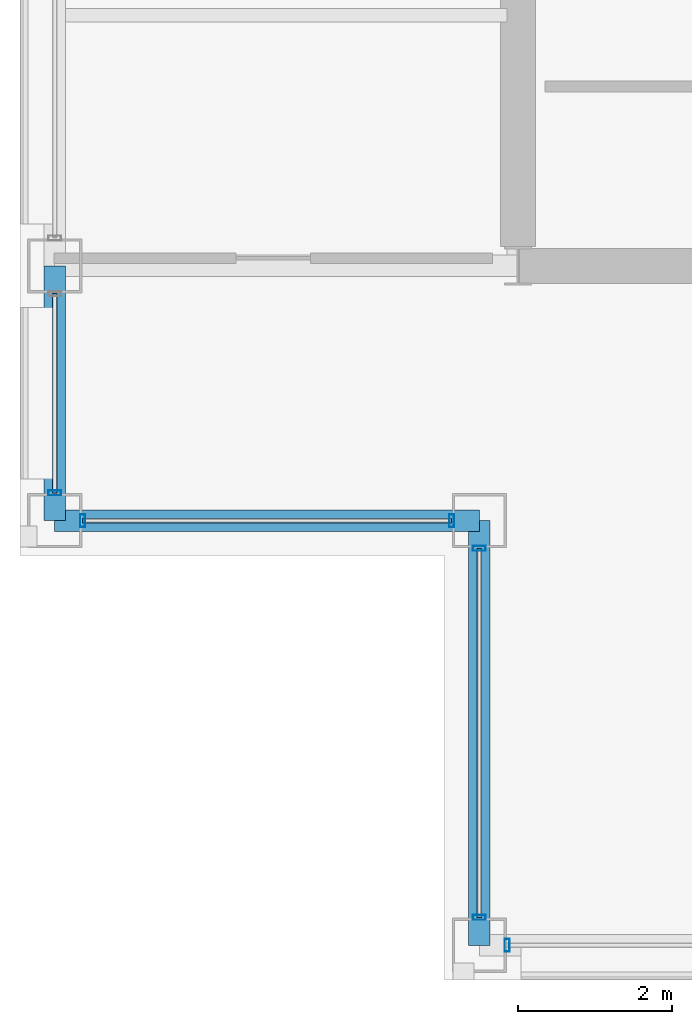
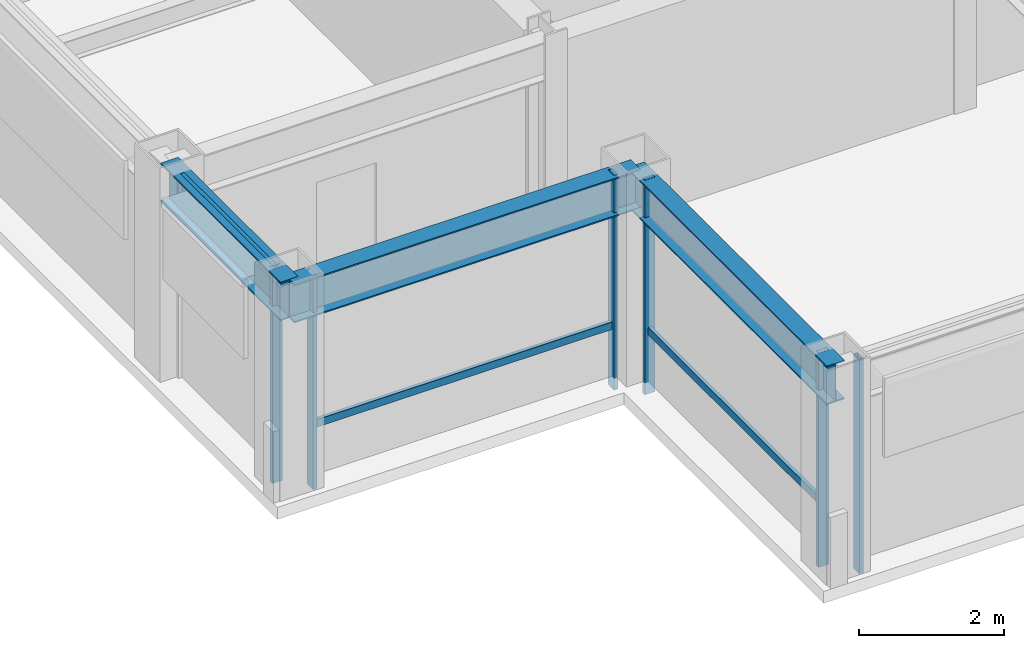
# One storey, part 2 of 28: 9 members, 3 beams, 4 elements without a shape of their own.
"""IFC4 building model written with IfcOpenShell, lengths in metres."""

from ifc_helpers import new_model, si_unit, direction, frame, origin, origin_2d, place, context, subcontext, project, spatial, hollow_rectangle, i_section, extrude, material, layer, layer_set, material_profile, profile_set, type_object, element, aggregate, save


model = new_model("IFC4")

# Units and contexts
model_context = context("Model", 3, precision=1e-05, world=origin(), true_north=direction((0.0, 1.0)))
body_context = subcontext(model_context, "Body", "Model", "MODEL_VIEW")
ifc_project = project(units=[si_unit("LENGTHUNIT", "METRE"), si_unit("AREAUNIT", "SQUARE_METRE"), si_unit("VOLUMEUNIT", "CUBIC_METRE"), si_unit("PLANEANGLEUNIT", "RADIAN"), si_unit("MASSUNIT", "GRAM", prefix="KILO")], contexts=[model_context])

# Site, building, storey
site_placement = place(None, origin())
site = spatial("IfcSite", under=ifc_project, at=site_placement, CompositionType="ELEMENT")
building_placement = place(site_placement, origin())
building = spatial("IfcBuilding", under=site, at=building_placement, Name="Brelmoor Portico Tower", CompositionType="ELEMENT")
storey_placement = place(building_placement, frame((0.0, 0.0, 191.10009765625)))
storey = spatial("IfcBuildingStorey", under=building, at=storey_placement, Name="L50", CompositionType="ELEMENT", Elevation=191.10009765625)

# Beams
ifc_material_1 = material(Name="Steel Q355B", Category="steel")
ifc_material_profile_1 = material_profile(ifc_material_1, i_section(OverallWidth=0.280029296875, OverallDepth=0.64990234375, WebThickness=0.012939453125, FlangeThickness=0.02197265625, at=origin_2d()), Name="HN 650x280x13x22")
ifc_profile_set_1 = profile_set([ifc_material_profile_1], Name="Steel Q355B")
beam_type = type_object("IfcBeamType", Name="BM-SP-650", PredefinedType="SPANDREL", material=ifc_profile_set_1)
beam_1_placement = place(storey_placement, frame((-20.550048828125, -13.050048828125, 3.074951171875), z_axis=(1.0, 0.0, 0.0), x_axis=(0.0, 1.0, 0.0)))
element("IfcBeam", 1, at=beam_1_placement, inside=storey, type_object=beam_type, Name="L50 Perimeter Spandrel Beam SP-04", PredefinedType="SPANDREL", context=body_context, shape_type="SweptSolid", body=[
    extrude(i_section(OverallWidth=0.280029296875, OverallDepth=0.64990234375, WebThickness=0.012939453125, FlangeThickness=0.02197265625, at=origin_2d()), origin(), (0.0, 0.0, 1.0), 5.5),
])
beam_2_placement = place(storey_placement, frame((-20.550048828125, -13.050048828125, 3.074951171875), z_axis=(0.0, 1.0, 0.0), x_axis=(-1.0, 0.0, 0.0)))
element("IfcBeam", 2, at=beam_2_placement, inside=storey, type_object=beam_type, Name="L50 Perimeter Spandrel Beam SP-11", PredefinedType="SPANDREL", context=body_context, shape_type="SweptSolid", body=[
    extrude(i_section(OverallWidth=0.280029296875, OverallDepth=0.64990234375, WebThickness=0.012939453125, FlangeThickness=0.02197265625, at=origin_2d()), origin(), (0.0, 0.0, 1.0), 3.300048828125),
])
beam_3_placement = place(storey_placement, frame((-15.050048828125, -18.550048828125, 3.074951171875), z_axis=(0.0, 1.0, 0.0), x_axis=(-1.0, 0.0, 0.0)))
element("IfcBeam", 3, at=beam_3_placement, inside=storey, type_object=beam_type, Name="L50 Perimeter Spandrel Beam SP-14", PredefinedType="SPANDREL", context=body_context, shape_type="SweptSolid", body=[
    extrude(i_section(OverallWidth=0.280029296875, OverallDepth=0.64990234375, WebThickness=0.012939453125, FlangeThickness=0.02197265625, at=origin_2d()), origin(), (0.0, 0.0, 1.0), 5.5),
])

# Curtain wall, member
ifc_material_2 = material(Name="Anodised Aluminium Alloy 6063-T6", Category="aluminium")
ifc_layer_1 = layer(ifc_material_2, 0.179931640625)
ifc_layer_set_1 = layer_set([ifc_layer_1], Name="Anodised Aluminium Alloy 6063-T6")
curtain_wall_type_1 = type_object("IfcCurtainWallType", Name="CW-TOWER-Z3-XB", PredefinedType="NOTDEFINED", material=ifc_layer_set_1)
curtain_wall_1_placement = place(storey_placement, origin())
curtain_wall_1 = element("IfcCurtainWall", 4, at=curtain_wall_1_placement, inside=storey, type_object=curtain_wall_type_1, Name="L50 Curtain Wall CW-L50-01-1", PredefinedType="NOTDEFINED")
ifc_material_profile_2 = material_profile(ifc_material_2, hollow_rectangle(XDim=0.06494140625, YDim=0.1650390625, WallThickness=0.00390625, at=origin_2d()), Name="ALU MULLION 65x165")
ifc_profile_set_2 = profile_set([ifc_material_profile_2], Name="Anodised Aluminium Alloy 6063-T6")
member_type_1 = type_object("IfcMemberType", Name="MB-CW-MULL-165", PredefinedType="MULLION", material=ifc_profile_set_2)
member_1_placement = place(storey_placement, frame((-14.68994140625, -18.550048828125, -0.2001953125), z_axis=(0.0, 0.0, 1.0), x_axis=(1.0, 0.0, 0.0)))
member_1 = element("IfcMember", 5, at=member_1_placement, type_object=member_type_1, Name="CW-L50-01-1 Mullion 00", PredefinedType="MULLION", context=body_context, shape_type="SweptSolid", body=[
    extrude(hollow_rectangle(XDim=0.06494140625, YDim=0.1650390625, WallThickness=0.00390625, at=origin_2d()), origin(), (0.0, 0.0, 1.0), 3.60009765625),
])
aggregate(curtain_wall_1, [member_1])

curtain_wall_2_placement = place(storey_placement, origin())
curtain_wall_2 = element("IfcCurtainWall", 6, at=curtain_wall_2_placement, inside=storey, type_object=curtain_wall_type_1, Name="L50 Curtain Wall CW-L50-03-1", PredefinedType="NOTDEFINED")
member_2_placement = place(storey_placement, frame((-20.550048828125, -12.68994140625, -0.2001953125), z_axis=(0.0, 0.0, 1.0), x_axis=(0.0, 1.0, 0.0)))
member_2 = element("IfcMember", 7, at=member_2_placement, type_object=member_type_1, Name="CW-L50-03-1 Mullion 00", PredefinedType="MULLION", context=body_context, shape_type="SweptSolid", body=[
    extrude(hollow_rectangle(XDim=0.06494140625, YDim=0.1650390625, WallThickness=0.00390625, at=origin_2d()), origin(), (0.0, 0.0, 1.0), 3.60009765625),
])

# Curtain wall, members
ifc_layer_2 = layer(ifc_material_2, 0.179931640625)
ifc_layer_set_2 = layer_set([ifc_layer_2], Name="Anodised Aluminium Alloy 6063-T6")
curtain_wall_type_2 = type_object("IfcCurtainWallType", Name="CW-NOTCH-CHAMFER", PredefinedType="NOTDEFINED", material=ifc_layer_set_2)
curtain_wall_3_placement = place(storey_placement, origin())
curtain_wall_3 = element("IfcCurtainWall", 8, at=curtain_wall_3_placement, inside=storey, type_object=curtain_wall_type_2, Name="L50 Curtain Wall CWN-L50-SWH", PredefinedType="NOTDEFINED")
member_3_placement = place(storey_placement, frame((-20.18994140625, -13.050048828125, -0.2001953125), z_axis=(0.0, 0.0, 1.0), x_axis=(1.0, 0.0, 0.0)))
member_3 = element("IfcMember", 9, at=member_3_placement, type_object=member_type_1, Name="CWN-L50-SWH Mullion 00", PredefinedType="MULLION", context=body_context, shape_type="SweptSolid", body=[
    extrude(hollow_rectangle(XDim=0.06494140625, YDim=0.1650390625, WallThickness=0.00390625, at=origin_2d()), origin(), (0.0, 0.0, 1.0), 3.60009765625),
])
member_4_placement = place(storey_placement, frame((-15.409912109375, -13.050048828125, -0.2001953125), z_axis=(0.0, 0.0, 1.0), x_axis=(1.0, 0.0, 0.0)))
member_4 = element("IfcMember", 10, at=member_4_placement, type_object=member_type_1, Name="CWN-L50-SWH Mullion 01", PredefinedType="MULLION", context=body_context, shape_type="SweptSolid", body=[
    extrude(hollow_rectangle(XDim=0.06494140625, YDim=0.1650390625, WallThickness=0.00390625, at=origin_2d()), origin(), (0.0, 0.0, 1.0), 3.60009765625),
])

curtain_wall_4_placement = place(storey_placement, origin())
curtain_wall_4 = element("IfcCurtainWall", 11, at=curtain_wall_4_placement, inside=storey, type_object=curtain_wall_type_2, Name="L50 Curtain Wall CWN-L50-SWV", PredefinedType="NOTDEFINED")
member_5_placement = place(storey_placement, frame((-15.050048828125, -18.18994140625, -0.2001953125), z_axis=(0.0, 0.0, 1.0), x_axis=(0.0, 1.0, 0.0)))
member_5 = element("IfcMember", 12, at=member_5_placement, type_object=member_type_1, Name="CWN-L50-SWV Mullion 00", PredefinedType="MULLION", context=body_context, shape_type="SweptSolid", body=[
    extrude(hollow_rectangle(XDim=0.06494140625, YDim=0.1650390625, WallThickness=0.00390625, at=origin_2d()), origin(), (0.0, 0.0, 1.0), 3.60009765625),
])
member_6_placement = place(storey_placement, frame((-15.050048828125, -13.409912109375, -0.2001953125), z_axis=(0.0, 0.0, 1.0), x_axis=(0.0, 1.0, 0.0)))
member_6 = element("IfcMember", 13, at=member_6_placement, type_object=member_type_1, Name="CWN-L50-SWV Mullion 01", PredefinedType="MULLION", context=body_context, shape_type="SweptSolid", body=[
    extrude(hollow_rectangle(XDim=0.06494140625, YDim=0.1650390625, WallThickness=0.00390625, at=origin_2d()), origin(), (0.0, 0.0, 1.0), 3.60009765625),
])

# Member
ifc_material_profile_3 = material_profile(ifc_material_2, hollow_rectangle(XDim=0.06005859375, YDim=0.125, WallThickness=0.00341796875, at=origin_2d()), Name="ALU TRANSOM 60x125")
ifc_profile_set_3 = profile_set([ifc_material_profile_3], Name="Anodised Aluminium Alloy 6063-T6")
member_type_2 = type_object("IfcMemberType", Name="MB-CW-TRAN-125", PredefinedType="USERDEFINED", material=ifc_profile_set_3)
member_7_placement = place(storey_placement, frame((-20.550048828125, -12.68994140625, 3.33740234375), z_axis=(0.0, 1.0, 0.0), x_axis=(-1.0, 0.0, 0.0)))
member_7 = element("IfcMember", 14, at=member_7_placement, type_object=member_type_2, Name="CW-L50-03-1 Transom 1-00", ObjectType="TRANSOM", PredefinedType="USERDEFINED", context=body_context, shape_type="SweptSolid", body=[
    extrude(hollow_rectangle(XDim=0.06005859375, YDim=0.125, WallThickness=0.00341796875, at=origin_2d()), origin(), (0.0, 0.0, 1.0), 2.579833984375),
])

aggregate(curtain_wall_2, [member_2, member_7])

member_8_placement = place(storey_placement, frame((-20.18994140625, -13.050048828125, 0.849853515625), z_axis=(1.0, 0.0, 0.0), x_axis=(0.0, 1.0, 0.0)))
member_8 = element("IfcMember", 15, at=member_8_placement, type_object=member_type_2, Name="CWN-L50-SWH Transom 1-00", ObjectType="TRANSOM", PredefinedType="USERDEFINED", context=body_context, shape_type="SweptSolid", body=[
    extrude(hollow_rectangle(XDim=0.06005859375, YDim=0.125, WallThickness=0.00341796875, at=origin_2d()), origin(), (0.0, 0.0, 1.0), 4.780029296875),
])

aggregate(curtain_wall_3, [member_3, member_4, member_8])

member_9_placement = place(storey_placement, frame((-15.050048828125, -18.18994140625, 0.849853515625), z_axis=(0.0, 1.0, 0.0), x_axis=(-1.0, 0.0, 0.0)))
member_9 = element("IfcMember", 16, at=member_9_placement, type_object=member_type_2, Name="CWN-L50-SWV Transom 1-00", ObjectType="TRANSOM", PredefinedType="USERDEFINED", context=body_context, shape_type="SweptSolid", body=[
    extrude(hollow_rectangle(XDim=0.06005859375, YDim=0.125, WallThickness=0.00341796875, at=origin_2d()), origin(), (0.0, 0.0, 1.0), 4.780029296875),
])

aggregate(curtain_wall_4, [member_5, member_6, member_9])

save(model, "model.ifc")
